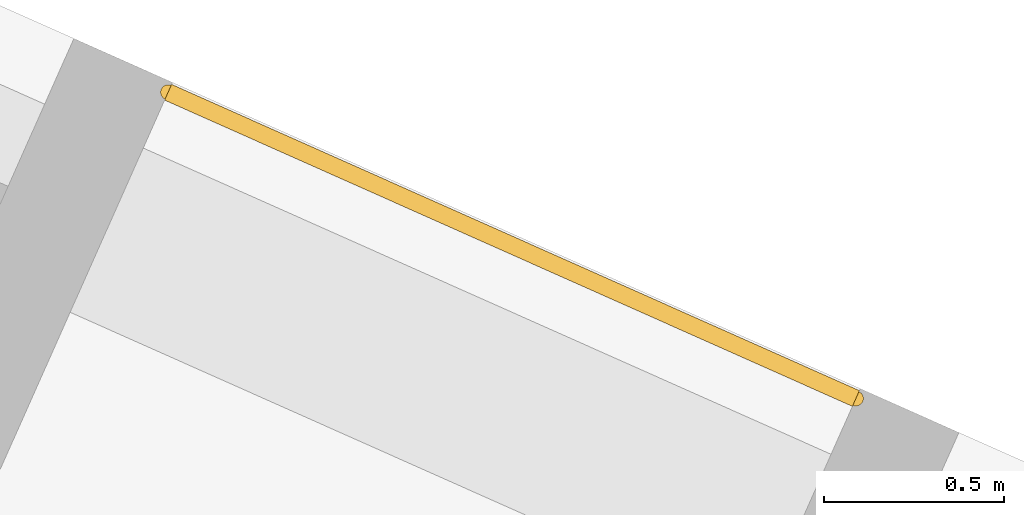
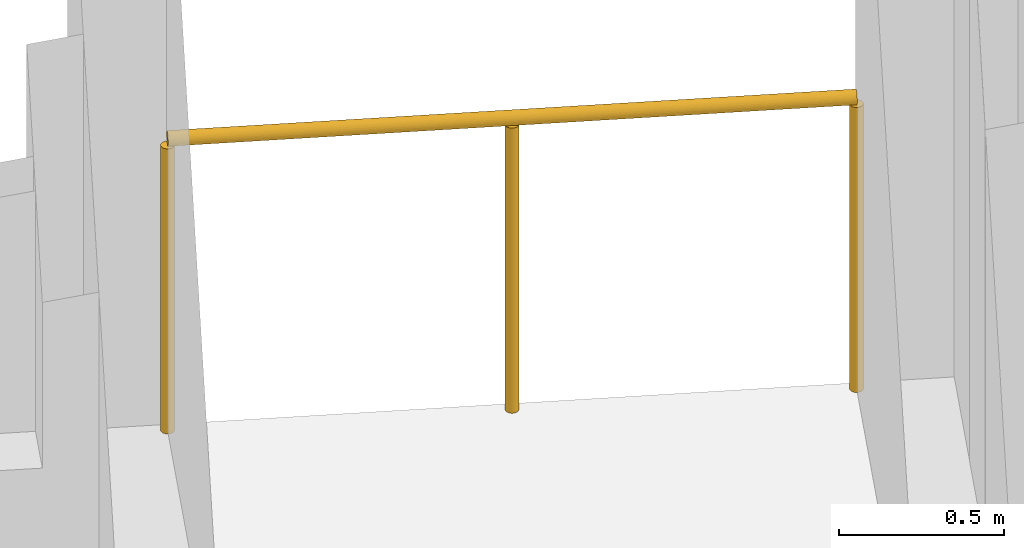
# One storey, part 14 of 14: 1 railing.
"""IFC4 building model written with IfcOpenShell, lengths in metres."""

import ifcopenshell
import ifcopenshell.guid

model = None  # the IFC model being written
_history = None  # IfcOwnerHistory: only IFC2X3 demands one
_inside = {}  # id of a spatial element -> (the spatial element, [elements in it])
_under = {}  # id of a project, library or spatial element -> (it, [spatial elements below it])
_declared = {}  # id of a project -> (the project, [libraries it declares])
_typed = {}  # id of a type object -> (the type object, [elements of that type])
_made_of = {}  # id of a material, layer set ... -> (it, [elements and type objects made of it])


def new_model(schema):
    """Start an empty IFC model of exactly this schema.

    Asked for "IFC4X3", IfcOpenShell would pick the latest addendum, in which some entities
    have other attributes; the version numbers below select the first issue.
    IFC2X3 requires an IfcOwnerHistory on every rooted entity: one is made here for all.
    """
    global model, _history
    if schema == "IFC4X3":
        model = ifcopenshell.file(schema_version=(4, 3, 0, 0))
    else:
        model = ifcopenshell.file(schema=schema)
    _inside.clear()
    _under.clear()
    _declared.clear()
    _typed.clear()
    _made_of.clear()
    _history = None
    if model.schema == "IFC2X3":
        org = make("IfcOrganization", Name="unknown")
        user = make(
            "IfcPersonAndOrganization",
            ThePerson=make("IfcPerson", FamilyName="unknown"),
            TheOrganization=org,
        )
        app = make(
            "IfcApplication",
            ApplicationDeveloper=org,
            Version="unknown",
            ApplicationFullName="unknown",
            ApplicationIdentifier="unknown",
        )
        _history = make(
            "IfcOwnerHistory",
            OwningUser=user,
            OwningApplication=app,
            ChangeAction="ADDED",
            CreationDate=0,
        )
    return model


def make(cls, **values):
    """One entity of the class cls with the attributes given. An attribute that is None is left unset."""
    return model.create_entity(
        cls, **{name: value for name, value in values.items() if value is not None}
    )


def rooted(cls, **values):
    """An entity with a GlobalId (a new one), such as an element, a storey or a relation."""
    return make(cls, GlobalId=ifcopenshell.guid.new(), OwnerHistory=_history, **values)


def si_unit(unit_type, name, prefix=None):
    """IfcSIUnit, for example si_unit("LENGTHUNIT", "METRE", prefix="MILLI")."""
    return make("IfcSIUnit", UnitType=unit_type, Prefix=prefix, Name=name)


def assignment(units):
    """IfcUnitAssignment: the units of a project."""
    return None if units is None else make("IfcUnitAssignment", Units=units)


def point(xyz):
    """IfcCartesianPoint."""
    return None if xyz is None else make("IfcCartesianPoint", Coordinates=xyz)


def direction(xyz):
    """IfcDirection."""
    return None if xyz is None else make("IfcDirection", DirectionRatios=xyz)


def frame(location, z_axis=None, x_axis=None):
    """IfcAxis2Placement3D, a coordinate frame: its origin and axes. An axis left out is left unset."""
    return make(
        "IfcAxis2Placement3D",
        Location=point(location),
        Axis=direction(z_axis),
        RefDirection=direction(x_axis),
    )


def frame_2d(location, x_axis=None):
    """IfcAxis2Placement2D, a coordinate frame in the plane: its origin and x axis."""
    return make(
        "IfcAxis2Placement2D", Location=point(location), RefDirection=direction(x_axis)
    )


def origin():
    """The frame at (0, 0, 0) with its axes left unset."""
    return frame((0.0, 0.0, 0.0))


def origin_2d():
    """The frame at (0, 0) in the plane with its x axis left unset."""
    return frame_2d((0.0, 0.0))


def place(relative_to, where):
    """IfcLocalPlacement: puts the frame where relative to a parent placement (None: the world)."""
    return make(
        "IfcLocalPlacement", PlacementRelTo=relative_to, RelativePlacement=where
    )


def context(
    kind, dimensions, precision=None, world=None, true_north=None, identifier=None
):
    """IfcGeometricRepresentationContext, for example the 3D "Model" context."""
    return make(
        "IfcGeometricRepresentationContext",
        ContextIdentifier=identifier,
        ContextType=kind,
        CoordinateSpaceDimension=dimensions,
        Precision=precision,
        WorldCoordinateSystem=world,
        TrueNorth=true_north,
    )


def subcontext(parent, identifier, kind, view, scale=None):
    """IfcGeometricRepresentationSubContext, for example "Body" below "Model"."""
    return make(
        "IfcGeometricRepresentationSubContext",
        ContextIdentifier=identifier,
        ContextType=kind,
        ParentContext=parent,
        TargetScale=scale,
        TargetView=view,
    )


def project(units=None, contexts=None):
    """IfcProject with its units and contexts."""
    return rooted(
        "IfcProject",
        Name="project",
        RepresentationContexts=contexts,
        UnitsInContext=assignment(units),
    )


def spatial(cls, under=None, at=None, **own):
    """A site, building, storey or space (cls), placed at a placement, below another one or the project."""
    s = rooted(cls, ObjectPlacement=at, **own)
    if under is not None:
        _under.setdefault(under.id(), (under, []))[1].append(s)
    return s


def profile(cls, at=None, kind="AREA", **sizes):
    """A parametric profile (cls). Its sizes go by their IFC names, for example OverallWidth=200.0."""
    return make(cls, ProfileType=kind, Position=at, **sizes)


def circle(**sizes):
    """IfcCircleProfileDef."""
    return profile("IfcCircleProfileDef", **sizes)


def extrude(swept, where, along, depth):
    """IfcExtrudedAreaSolid: the profile swept, set in the frame where, extruded along a direction by depth."""
    return make(
        "IfcExtrudedAreaSolid",
        SweptArea=swept,
        Position=where,
        ExtrudedDirection=direction(along),
        Depth=depth,
    )


def shape(context_of_items, identifier, shape_type, items):
    """IfcShapeRepresentation: the items that make up one representation, for example the "Body"."""
    return make(
        "IfcShapeRepresentation",
        ContextOfItems=context_of_items,
        RepresentationIdentifier=identifier,
        RepresentationType=shape_type,
        Items=items,
    )


def material(Name=None, Category=None):
    """IfcMaterial."""
    return make("IfcMaterial", Name=Name, Category=Category)


def made_of(thing, what):
    """Note that an element or type object is made of a material, layer set ...; save() writes the relation."""
    if what is not None:
        _made_of.setdefault(what.id(), (what, []))[1].append(thing)
    return thing


def type_object(cls, material=None, **own):
    """A type object (cls), such as IfcWallType, which elements share."""
    return made_of(rooted(cls, **own), material)


def element(
    cls,
    number,
    at=None,
    inside=None,
    cuts=None,
    type_object=None,
    material=None,
    context=None,
    identifier="Body",
    shape_type=None,
    held_by="IfcProductDefinitionShape",
    body=None,
    shapes=None,
    **own,
):
    """One element of the class cls, such as IfcWall. Its Tag is "e" and its number.

    at: its placement. inside: the storey or other place that contains it. cuts: it is an
    opening in that element (IfcRelVoidsElement). A single representation is given by context,
    identifier, shape_type and body (its items); several are given by shapes. held_by: the class
    of the entity that holds the representations. save() writes the other relations.
    """
    e = rooted(cls, Tag="e%d" % number, ObjectPlacement=at, **own)
    if body is not None:
        shapes = [shape(context, identifier, shape_type, body)]
    if shapes is not None:
        e.Representation = make(held_by, Representations=shapes)
    if inside is not None:
        _inside.setdefault(inside.id(), (inside, []))[1].append(e)
    if cuts is not None:
        rooted(
            "IfcRelVoidsElement", RelatingBuildingElement=cuts, RelatedOpeningElement=e
        )
    if type_object is not None:
        _typed.setdefault(type_object.id(), (type_object, []))[1].append(e)
    return made_of(e, material)


def aggregate(whole, parts):
    """IfcRelAggregates: a whole, such as a stair, and the parts it consists of."""
    return rooted("IfcRelAggregates", RelatingObject=whole, RelatedObjects=parts)


def save(model, path):
    """Write the relations noted so far, then the file.

    IfcRelAggregates (storeys below a building ...), IfcRelContainedInSpatialStructure (elements
    in a storey), IfcRelDefinesByType, IfcRelAssociatesMaterial and IfcRelDeclares: one each for
    every whole, place, type object, material and project.
    """
    for whole, parts in _under.values():
        aggregate(whole, parts)
    for where, things in _inside.values():
        rooted(
            "IfcRelContainedInSpatialStructure",
            RelatedElements=things,
            RelatingStructure=where,
        )
    for kind, things in _typed.values():
        rooted("IfcRelDefinesByType", RelatedObjects=things, RelatingType=kind)
    for what, things in _made_of.values():
        rooted("IfcRelAssociatesMaterial", RelatedObjects=things, RelatingMaterial=what)
    for by, libraries in _declared.values():
        rooted("IfcRelDeclares", RelatingContext=by, RelatedDefinitions=libraries)
    model.write(path)


model = new_model("IFC4")

# Units and contexts
model_context = context("Model", 3, precision=1e-05, world=origin(), true_north=direction((0.0, 1.0)))
body_context = subcontext(model_context, "Body", "Model", "MODEL_VIEW")
ifc_project = project(units=[si_unit("LENGTHUNIT", "METRE"), si_unit("AREAUNIT", "SQUARE_METRE"), si_unit("VOLUMEUNIT", "CUBIC_METRE"), si_unit("PLANEANGLEUNIT", "RADIAN"), si_unit("MASSUNIT", "GRAM", prefix="KILO")], contexts=[model_context])

# Site, building, storey
site_placement = place(None, origin())
site = spatial("IfcSite", under=ifc_project, at=site_placement, CompositionType="ELEMENT")
building_placement = place(site_placement, origin())
building = spatial("IfcBuilding", under=site, at=building_placement, Name="Tramontana Tower", CompositionType="ELEMENT")
storey_placement = place(building_placement, frame((0.0, 0.0, 174.800048828125)))
storey = spatial("IfcBuildingStorey", under=building, at=storey_placement, Name="L40", CompositionType="ELEMENT", Elevation=174.800048828125)

# Railing
ifc_material = material(Name="Laminated glass balustrade", Category="glass")
railing_type = type_object("IfcRailingType", Name="GD1 Loggia glass balustrade 1100", PredefinedType="BALUSTRADE", material=ifc_material)
railing_placement = place(storey_placement, frame((26.319091796875, 6.85791015625, 0.0)))
element("IfcRailing", 1, at=railing_placement, inside=storey, type_object=railing_type, Name="Loggia balustrade L40 G4S2.1", PredefinedType="BALUSTRADE", context=body_context, shape_type="SweptSolid", body=[
    extrude(circle(Radius=0.02392578125, at=origin_2d()), frame((0.0, 0.0, 1.076171875), z_axis=(-0.913537312596, 0.406754936657, 0.0), x_axis=(-0.406754936657, -0.913537312596, 0.0)), (0.0, 0.0, 1.0), 2.09423828125),
    extrude(circle(Radius=0.02099609375, at=origin_2d()), origin(), (0.0, 0.0, 1.0), 1.052001953125),
    extrude(circle(Radius=0.02099609375, at=origin_2d()), frame((-0.95654296875, 0.42578125, 0.0)), (0.0, 0.0, 1.0), 1.052001953125),
    extrude(circle(Radius=0.02099609375, at=origin_2d()), frame((-1.9130859375, 0.851806640625, 0.0)), (0.0, 0.0, 1.0), 1.052001953125),
])

save(model, "model.ifc")
